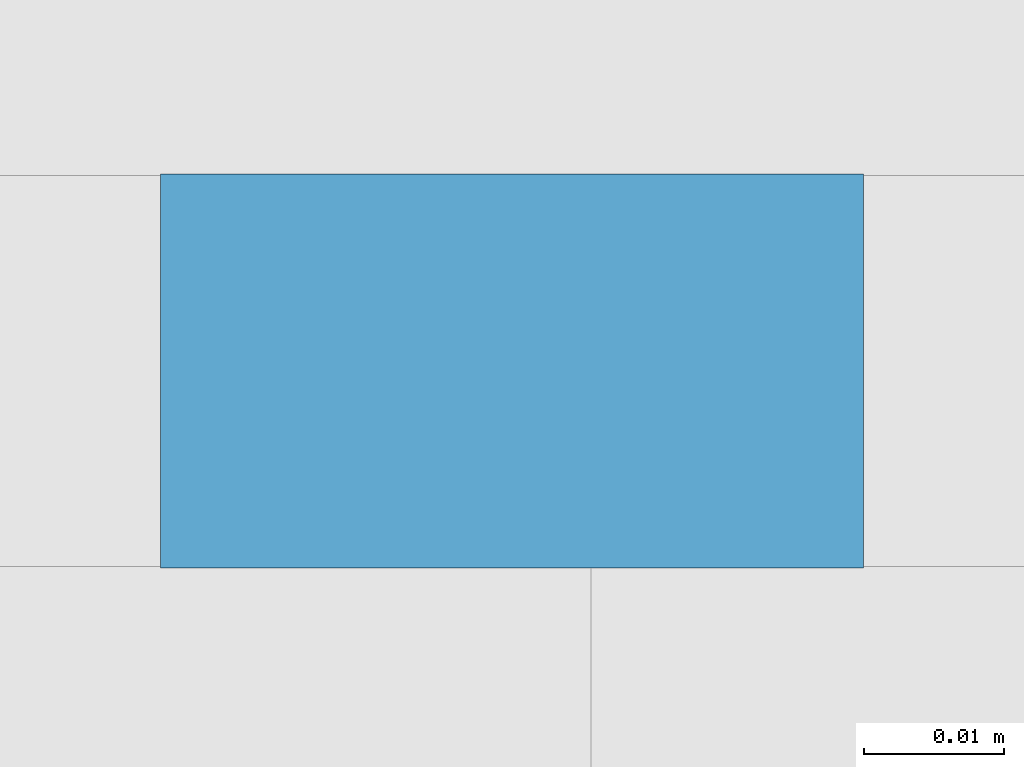
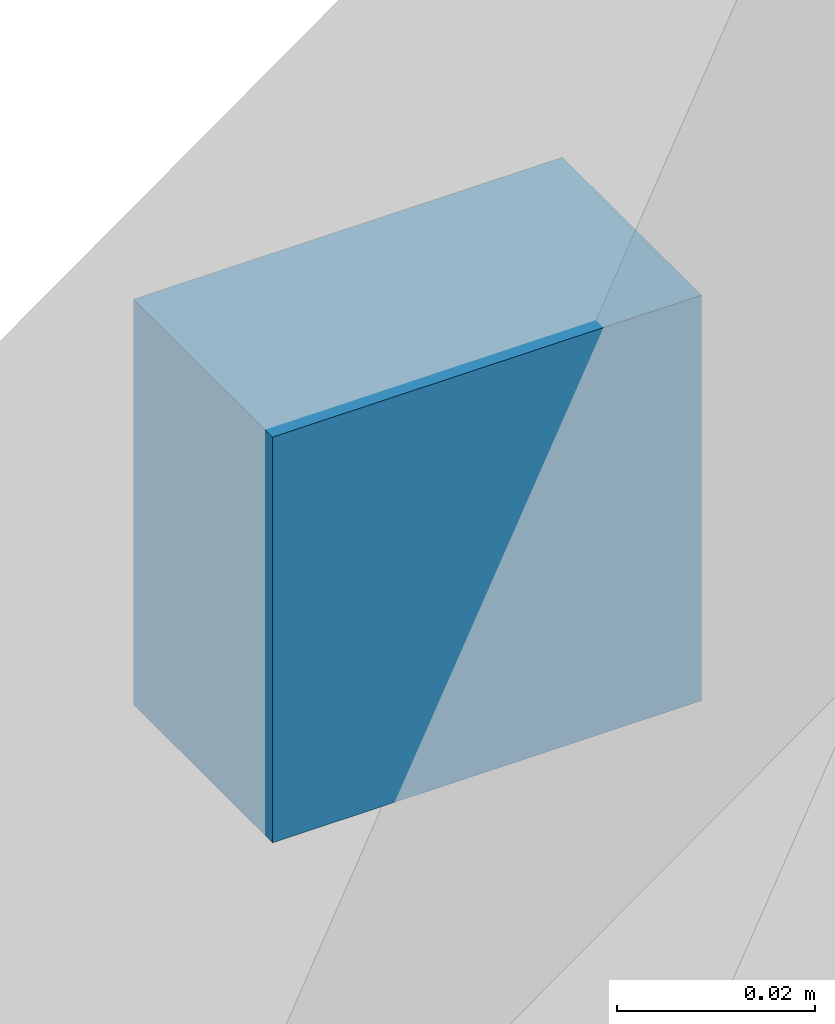
# One storey, part 16 of 18: 1 discrete accessory, 1 element without a shape of its own.
"""IFC4 building model written with IfcOpenShell, lengths in metres."""

from ifc_helpers import new_model, si_unit, direction, frame, origin, origin_2d, place, context, subcontext, project, spatial, rectangle, extrude, material, type_object, element, aggregate, save


model = new_model("IFC4")

# Units and contexts
model_context = context("Model", 3, precision=1e-05, world=origin(), true_north=direction((0.0, 1.0)))
body_context = subcontext(model_context, "Body", "Model", "MODEL_VIEW")
ifc_project = project(units=[si_unit("LENGTHUNIT", "METRE"), si_unit("AREAUNIT", "SQUARE_METRE"), si_unit("VOLUMEUNIT", "CUBIC_METRE"), si_unit("PLANEANGLEUNIT", "RADIAN"), si_unit("MASSUNIT", "GRAM", prefix="KILO")], contexts=[model_context])

# Site, building, storey
site_placement = place(None, origin())
site = spatial("IfcSite", under=ifc_project, at=site_placement, CompositionType="ELEMENT")
building_placement = place(site_placement, origin())
building = spatial("IfcBuilding", under=site, at=building_placement, Name="Tessera Arch", CompositionType="ELEMENT")
storey_placement = place(building_placement, frame((0.0, 0.0, 185.60009765625)))
storey = spatial("IfcBuildingStorey", under=building, at=storey_placement, Name="L44", CompositionType="ELEMENT", Elevation=185.60009765625)

# Curtain wall, discrete accessory
ifc_material = material(Name="CW3 curtain wall")
curtain_wall_type = type_object("IfcCurtainWallType", Name="CW3 curtain wall", PredefinedType="NOTDEFINED", material=ifc_material)
curtain_wall_placement = place(storey_placement, origin())
curtain_wall = element("IfcCurtainWall", 1, at=curtain_wall_placement, inside=storey, type_object=curtain_wall_type, Name="CW3 curtain wall N54.0/1 L44", PredefinedType="NOTDEFINED")
discrete_accessory_placement = place(storey_placement, frame((39.929931640625, 54.0439453125, 1.1455078125), z_axis=(0.0, 0.0, 1.0), x_axis=(-1.0, 0.0, 0.0)))
discrete_accessory = element("IfcDiscreteAccessory", 2, at=discrete_accessory_placement, Name="Glazing bracket", PredefinedType="BRACKET", context=body_context, shape_type="SweptSolid", body=[
    extrude(rectangle(XDim=0.050048828125, YDim=0.028076171875, at=origin_2d()), origin(), (0.0, 0.0, 1.0), 0.050048828125),
])
aggregate(curtain_wall, [discrete_accessory])

save(model, "model.ifc")
